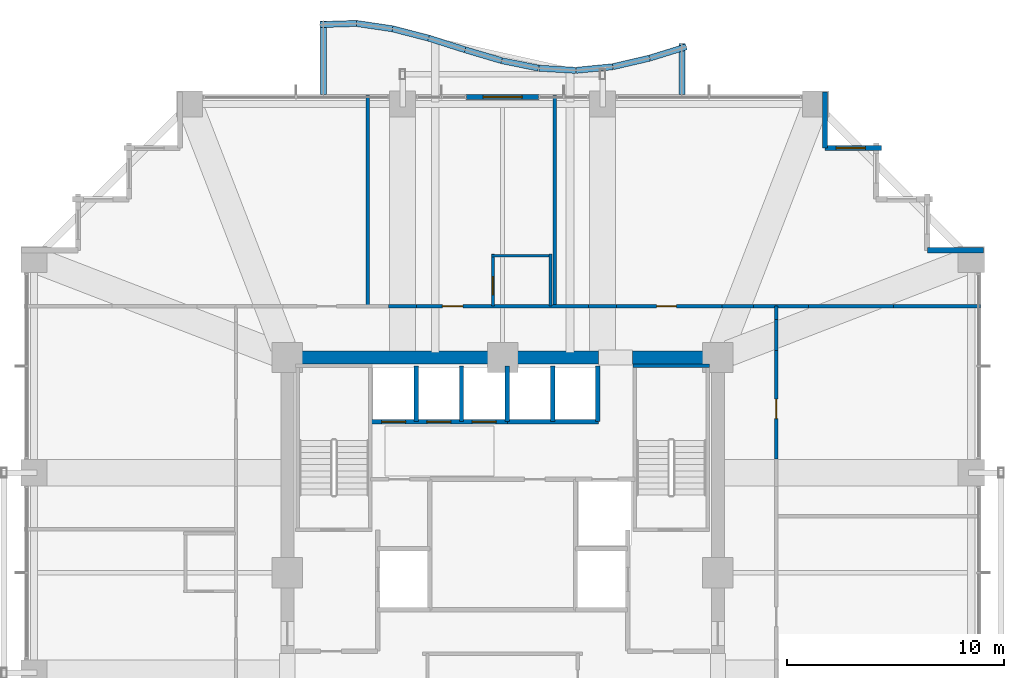
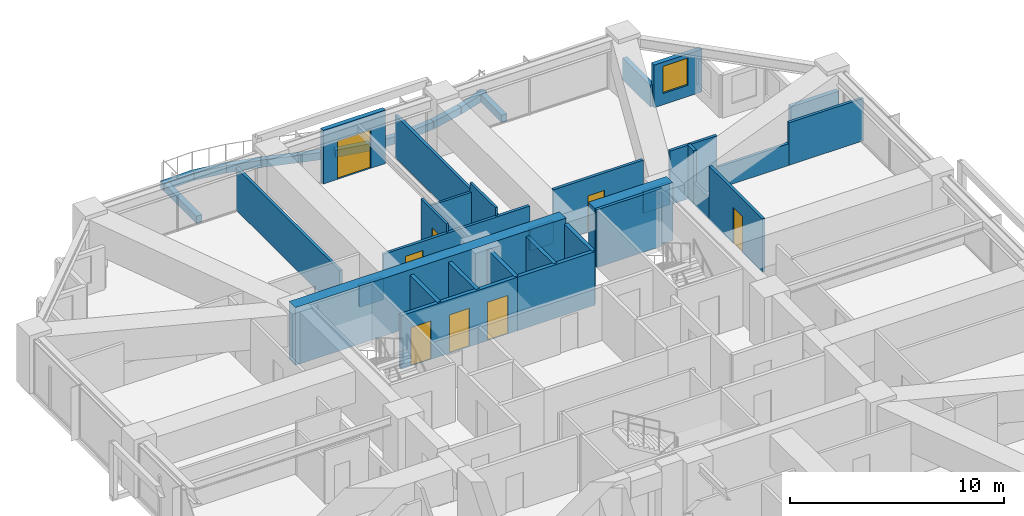
# One storey, part 34 of 37: 43 walls, 8 doors, 1 window, 9 openings.
"""IFC4 building model written with IfcOpenShell, lengths in metres."""

from ifc_helpers import new_model, si_unit, direction, frame, frame_2d, origin, place, context, subcontext, project, spatial, rectangle, extrude, material, layer, layer_set, type_object, element, fill, save


model = new_model("IFC4")

# Units and contexts
model_context = context("Model", 3, precision=1e-05, world=origin(), true_north=direction((0.0, 1.0)))
body_context = subcontext(model_context, "Body", "Model", "MODEL_VIEW")
ifc_project = project(units=[si_unit("LENGTHUNIT", "METRE"), si_unit("AREAUNIT", "SQUARE_METRE"), si_unit("VOLUMEUNIT", "CUBIC_METRE"), si_unit("PLANEANGLEUNIT", "RADIAN"), si_unit("MASSUNIT", "GRAM", prefix="KILO")], contexts=[model_context])

# Site, building, storey
site_placement = place(None, origin())
site = spatial("IfcSite", under=ifc_project, at=site_placement, CompositionType="ELEMENT")
building_placement = place(site_placement, origin())
building = spatial("IfcBuilding", under=site, at=building_placement, Name="Kolvaren Belvedere", CompositionType="ELEMENT")
storey_placement = place(building_placement, frame((0.0, 0.0, 56.800048828125)))
storey = spatial("IfcBuildingStorey", under=building, at=storey_placement, Name="L16", CompositionType="ELEMENT", Elevation=56.800048828125)

# Walls
ifc_material_1 = material(Name="Concrete C60/75", Category="concrete")
ifc_layer_1 = layer(ifc_material_1, 0.60009765625)
ifc_layer_set_1 = layer_set([ifc_layer_1], Name="Concrete C60/75")
wall_type_1 = type_object("IfcWallType", Name="CW-CORE-600", PredefinedType="SHEAR", material=ifc_layer_set_1)
wall_1_placement = place(storey_placement, frame((-10.199951171875, 9.89990234375, 0.0), z_axis=(0.0, 0.0, 1.0), x_axis=(1.0, 0.0, 0.0)))
element("IfcWall", 1, at=wall_1_placement, inside=storey, type_object=wall_type_1, Name="L16 North Core Shear Wall 1", PredefinedType="SHEAR", context=body_context, shape_type="SweptSolid", body=[
    extrude(rectangle(XDim=14.619873046875, YDim=0.60009765625, at=frame_2d((7.31005859375, 0.0))), origin(), (0.0, 0.0, 1.0), 3.300048828125),
])
wall_2_placement = place(storey_placement, frame((5.97998046875, 9.89990234375, 0.0), z_axis=(0.0, 0.0, 1.0), x_axis=(1.0, 0.0, 0.0)))
element("IfcWall", 2, at=wall_2_placement, inside=storey, type_object=wall_type_1, Name="L16 North Core Shear Wall 2", PredefinedType="SHEAR", context=body_context, shape_type="SweptSolid", body=[
    extrude(rectangle(XDim=4.219970703125, YDim=0.60009765625, at=frame_2d((2.10986328125, 0.0))), origin(), (0.0, 0.0, 1.0), 3.300048828125),
])
ifc_material_2 = material(Name="Concrete C50/60", Category="concrete")
ifc_layer_2 = layer(ifc_material_2, 0.159912109375)
ifc_layer_set_2 = layer_set([ifc_layer_2], Name="Concrete C50/60")
wall_type_2 = type_object("IfcWallType", Name="CW-STAIR-160", PredefinedType="SHEAR", material=ifc_layer_set_2)
wall_3_placement = place(storey_placement, frame((6.0, 9.530029296875, 0.0), z_axis=(0.0, 0.0, 1.0), x_axis=(1.0, 0.0, 0.0)))
element("IfcWall", 3, at=wall_3_placement, inside=storey, type_object=wall_type_2, Name="L16 Stair ST-2 North Shear Wall", PredefinedType="SHEAR", context=body_context, shape_type="SweptSolid", body=[
    extrude(rectangle(XDim=3.52001953125, YDim=0.159912109375, at=frame_2d((1.760009765625, 0.0))), origin(), (0.0, 0.0, 1.0), 3.300048828125),
])
ifc_material_3 = material(Name="Gypsum fire-rated partition assembly", Category="gypsum")
ifc_layer_3 = layer(ifc_material_3, 0.14990234375)
ifc_layer_set_3 = layer_set([ifc_layer_3], Name="Gypsum fire-rated partition assembly")
wall_type_3 = type_object("IfcWallType", Name="WL-CORR-150", PredefinedType="PARTITIONING", material=ifc_layer_set_3)
wall_4_placement = place(storey_placement, frame((-5.241943359375, 12.260009765625, 0.0), z_axis=(0.0, 0.0, 1.0), x_axis=(1.0, 0.0, 0.0)))
element("IfcWall", 4, at=wall_4_placement, inside=storey, type_object=wall_type_3, Name="L16 North Corridor Wall", PredefinedType="PARTITIONING", context=body_context, shape_type="SweptSolid", body=[
    extrude(rectangle(XDim=1.283935546875, YDim=0.14990234375, at=frame_2d((0.64208984375, 0.0))), origin(), (0.0, 0.0, 1.0), 1.244873046875),
])

# Wall, opening, door
wall_5_placement = place(storey_placement, frame((-3.9580078125, 12.260009765625, 0.0), z_axis=(0.0, 0.0, 1.0), x_axis=(1.0, 0.0, 0.0)))
wall_5 = element("IfcWall", 5, at=wall_5_placement, inside=storey, type_object=wall_type_3, Name="L16 North Corridor Wall", PredefinedType="PARTITIONING", context=body_context, shape_type="SweptSolid", body=[
    extrude(rectangle(XDim=7.916015625, YDim=0.14990234375, at=frame_2d((3.9580078125, 0.0))), origin(), (0.0, 0.0, 1.0), 2.5849609375),
])
opening_1_placement = place(wall_5_placement, frame((1.185546875, 0.0, 0.0)))
opening_1 = element("IfcOpeningElement", 6, at=opening_1_placement, cuts=wall_5, Name="Opening D-FD60", PredefinedType="OPENING", context=body_context, shape_type="SweptSolid", body=[
    extrude(rectangle(XDim=0.949951171875, YDim=2.06005859375, at=frame_2d((0.47509765625, 1.030029296875))), frame((0.0, 0.0849609375, 0.0), z_axis=(0.0, -1.0, 0.0), x_axis=(1.0, 0.0, 0.0)), (0.0, 0.0, 1.0), 0.169921875),
])
ifc_material_4 = material(Name="Acoustic white-oak fire door leaf", Category="timber")
door_type_1 = type_object("IfcDoorType", Name="DR-FD60-950", OperationType="NOTDEFINED", PredefinedType="DOOR", material=ifc_material_4)
door_1_placement = place(opening_1_placement, origin())
door_1 = element("IfcDoor", 7, at=door_1_placement, inside=storey, type_object=door_type_1, Name="L16 Botanical Hospitality Suite 1611 Entry Door", OperationType="SINGLE_SWING_RIGHT", OverallHeight=2.06005859375, OverallWidth=0.949951171875, PredefinedType="DOOR", context=body_context, shape_type="SweptSolid", body=[
    extrude(rectangle(XDim=0.949951171875, YDim=2.06005859375, at=frame_2d((0.47509765625, 1.030029296875))), frame((0.0, 0.02490234375, 0.0), z_axis=(0.0, -1.0, 0.0), x_axis=(1.0, 0.0, 0.0)), (0.0, 0.0, 1.0), 0.050048828125),
])
fill(opening_1, door_1)

# Wall
wall_6_placement = place(storey_placement, frame((3.9580078125, 12.260009765625, 0.0), z_axis=(0.0, 0.0, 1.0), x_axis=(1.0, 0.0, 0.0)))
element("IfcWall", 8, at=wall_6_placement, inside=storey, type_object=wall_type_3, Name="L16 North Corridor Wall", PredefinedType="PARTITIONING", context=body_context, shape_type="SweptSolid", body=[
    extrude(rectangle(XDim=1.283935546875, YDim=0.14990234375, at=frame_2d((0.64208984375, 0.0))), origin(), (0.0, 0.0, 1.0), 1.244873046875),
])

# Wall, opening, door
wall_7_placement = place(storey_placement, frame((5.241943359375, 12.260009765625, 0.0), z_axis=(0.0, 0.0, 1.0), x_axis=(1.0, 0.0, 0.0)))
wall_7 = element("IfcWall", 9, at=wall_7_placement, inside=storey, type_object=wall_type_3, Name="L16 North Corridor Wall", PredefinedType="PARTITIONING", context=body_context, shape_type="SweptSolid", body=[
    extrude(rectangle(XDim=4.849853515625, YDim=0.14990234375, at=frame_2d((2.4248046875, 0.0))), origin(), (0.0, 0.0, 1.0), 3.06005859375),
])
opening_2_placement = place(wall_7_placement, frame((1.843017578125, 0.0, 0.0)))
opening_2 = element("IfcOpeningElement", 10, at=opening_2_placement, cuts=wall_7, Name="Opening D-INT90", PredefinedType="OPENING", context=body_context, shape_type="SweptSolid", body=[
    extrude(rectangle(XDim=0.89990234375, YDim=2.06005859375, at=frame_2d((0.449951171875, 1.030029296875))), frame((0.0, 0.0849609375, 0.0), z_axis=(0.0, -1.0, 0.0), x_axis=(1.0, 0.0, 0.0)), (0.0, 0.0, 1.0), 0.169921875),
])
ifc_material_5 = material(Name="Stained Pacific white oak", Category="timber")
door_type_2 = type_object("IfcDoorType", Name="DR-INT-900", OperationType="NOTDEFINED", PredefinedType="DOOR", material=ifc_material_5)
door_2_placement = place(opening_2_placement, origin())
door_2 = element("IfcDoor", 11, at=door_2_placement, inside=storey, type_object=door_type_2, Name="L16 Lounge 1612 Door", OperationType="SINGLE_SWING_LEFT", OverallHeight=2.06005859375, OverallWidth=0.89990234375, PredefinedType="DOOR", context=body_context, shape_type="SweptSolid", body=[
    extrude(rectangle(XDim=0.89990234375, YDim=2.06005859375, at=frame_2d((0.449951171875, 1.030029296875))), frame((0.0, 0.02490234375, 0.0), z_axis=(0.0, -1.0, 0.0), x_axis=(1.0, 0.0, 0.0)), (0.0, 0.0, 1.0), 0.050048828125),
])
fill(opening_2, door_2)

# Walls
wall_8_placement = place(storey_placement, frame((10.091796875, 12.260009765625, 0.0), z_axis=(0.0, 0.0, 1.0), x_axis=(1.0, 0.0, 0.0)))
element("IfcWall", 12, at=wall_8_placement, inside=storey, type_object=wall_type_3, Name="L16 North Corridor Wall", PredefinedType="PARTITIONING", context=body_context, shape_type="SweptSolid", body=[
    extrude(rectangle(XDim=1.439453125, YDim=0.14990234375, at=frame_2d((0.7197265625, 0.0))), origin(), (0.0, 0.0, 1.0), 1.244873046875),
])
wall_9_placement = place(storey_placement, frame((11.53125, 12.260009765625, 0.0), z_axis=(0.0, 0.0, 1.0), x_axis=(1.0, 0.0, 0.0)))
element("IfcWall", 13, at=wall_9_placement, inside=storey, type_object=wall_type_3, Name="L16 North Corridor Wall", PredefinedType="PARTITIONING", context=body_context, shape_type="SweptSolid", body=[
    extrude(rectangle(XDim=1.048828125, YDim=0.14990234375, at=frame_2d((0.5244140625, 0.0))), origin(), (0.0, 0.0, 1.0), 3.06005859375),
])

# Wall, opening, door
wall_10_placement = place(storey_placement, frame((12.580078125, 5.241943359375, 0.0), z_axis=(0.0, 0.0, 1.0), x_axis=(0.0, 1.0, 0.0)))
wall_10 = element("IfcWall", 14, at=wall_10_placement, inside=storey, type_object=wall_type_3, Name="L16 East Corridor Wall", PredefinedType="PARTITIONING", context=body_context, shape_type="SweptSolid", body=[
    extrude(rectangle(XDim=4.9736328125, YDim=0.14990234375, at=frame_2d((2.48681640625, 0.0))), origin(), (0.0, 0.0, 1.0), 3.06005859375),
])
opening_3_placement = place(wall_10_placement, frame((1.843017578125, 0.0, 0.0)))
opening_3 = element("IfcOpeningElement", 15, at=opening_3_placement, cuts=wall_10, Name="Opening D-INT90", PredefinedType="OPENING", context=body_context, shape_type="SweptSolid", body=[
    extrude(rectangle(XDim=0.89990234375, YDim=2.06005859375, at=frame_2d((0.449951171875, 1.030029296875))), frame((0.0, 0.0849609375, 0.0), z_axis=(0.0, -1.0, 0.0), x_axis=(1.0, 0.0, 0.0)), (0.0, 0.0, 1.0), 0.169921875),
])
door_3_placement = place(opening_3_placement, origin())
door_3 = element("IfcDoor", 16, at=door_3_placement, inside=storey, type_object=door_type_2, Name="L16 Botanical Reading Salon 1606 Door", OperationType="SINGLE_SWING_LEFT", OverallHeight=2.06005859375, OverallWidth=0.89990234375, PredefinedType="DOOR", context=body_context, shape_type="SweptSolid", body=[
    extrude(rectangle(XDim=0.89990234375, YDim=2.06005859375, at=frame_2d((0.449951171875, 1.030029296875))), frame((0.0, 0.02490234375, 0.0), z_axis=(0.0, -1.0, 0.0), x_axis=(1.0, 0.0, 0.0)), (0.0, 0.0, 1.0), 0.050048828125),
])
fill(opening_3, door_3)

# Walls
wall_11_placement = place(storey_placement, frame((12.580078125, 10.215576171875, 0.0), z_axis=(0.0, 0.0, 1.0), x_axis=(0.0, 1.0, 0.0)))
element("IfcWall", 17, at=wall_11_placement, inside=storey, type_object=wall_type_3, Name="L16 East Corridor Wall", PredefinedType="PARTITIONING", context=body_context, shape_type="SweptSolid", body=[
    extrude(rectangle(XDim=1.439208984375, YDim=0.14990234375, at=frame_2d((0.7197265625, 0.0))), origin(), (0.0, 0.0, 1.0), 1.244873046875),
])
wall_12_placement = place(storey_placement, frame((12.580078125, 11.65478515625, 0.0), z_axis=(0.0, 0.0, 1.0), x_axis=(0.0, 1.0, 0.0)))
element("IfcWall", 18, at=wall_12_placement, inside=storey, type_object=wall_type_3, Name="L16 East Corridor Wall", PredefinedType="PARTITIONING", context=body_context, shape_type="SweptSolid", body=[
    extrude(rectangle(XDim=0.605224609375, YDim=0.14990234375, at=frame_2d((0.302734375, 0.0))), origin(), (0.0, 0.0, 1.0), 3.06005859375),
])
ifc_material_6 = material(Name="Insulated pale-metal facade wall assembly", Category="aluminium")
ifc_layer_4 = layer(ifc_material_6, 0.239990234375)
ifc_layer_set_4 = layer_set([ifc_layer_4], Name="Insulated pale-metal facade wall assembly")
wall_type_4 = type_object("IfcWallType", Name="WL-EXT-240", PredefinedType="STANDARD", material=ifc_layer_set_4)
wall_13_placement = place(storey_placement, frame((19.530029296875, 14.830078125, 0.0), z_axis=(0.0, 0.0, 1.0), x_axis=(1.0, 0.0, 0.0)))
element("IfcWall", 19, at=wall_13_placement, inside=storey, type_object=wall_type_4, Name="L16 Serrated Corner Facade Wall 9", PredefinedType="STANDARD", context=body_context, shape_type="SweptSolid", body=[
    extrude(rectangle(XDim=2.590087890625, YDim=0.239990234375, at=frame_2d((1.294921875, 0.0))), origin(), (0.0, 0.0, 1.0), 1.2548828125),
])

# Wall, opening, window
wall_14_placement = place(storey_placement, frame((14.830078125, 19.530029296875, 0.0), z_axis=(0.0, 0.0, 1.0), x_axis=(1.0, 0.0, 0.0)))
wall_14 = element("IfcWall", 20, at=wall_14_placement, inside=storey, type_object=wall_type_4, Name="L16 Serrated Corner Facade Wall 13", PredefinedType="STANDARD", context=body_context, shape_type="SweptSolid", body=[
    extrude(rectangle(XDim=2.58984375, YDim=0.239990234375, at=frame_2d((1.294921875, 0.0))), origin(), (0.0, 0.0, 1.0), 2.43896484375),
])
opening_4_placement = place(wall_14_placement, frame((0.5, 0.0, 0.64990234375)))
opening_4 = element("IfcOpeningElement", 21, at=opening_4_placement, cuts=wall_14, Name="Opening W-1350", PredefinedType="OPENING", context=body_context, shape_type="SweptSolid", body=[
    extrude(rectangle(XDim=1.35009765625, YDim=1.550048828125, at=frame_2d((0.675048828125, 0.77490234375))), frame((0.0, 0.1298828125, 0.0), z_axis=(0.0, -1.0, 0.0), x_axis=(1.0, 0.0, 0.0)), (0.0, 0.0, 1.0), 0.260009765625),
])
ifc_material_7 = material(Name="Low-iron triple insulated glass", Category="glass")
window_type = type_object("IfcWindowType", Name="WN-CORN-1350", PartitioningType="SINGLE_PANEL", PredefinedType="WINDOW", material=ifc_material_7)
window_placement = place(opening_4_placement, origin())
window = element("IfcWindow", 22, at=window_placement, inside=storey, type_object=window_type, Name="L16 Serrated Corner Vision Window 13", OverallHeight=1.550048828125, OverallWidth=1.35009765625, PartitioningType="SINGLE_PANEL", PredefinedType="WINDOW", context=body_context, shape_type="SweptSolid", body=[
    extrude(rectangle(XDim=1.35009765625, YDim=1.550048828125, at=frame_2d((0.675048828125, 0.77490234375))), frame((0.0, 0.030029296875, 0.0), z_axis=(0.0, -1.0, 0.0), x_axis=(1.0, 0.0, 0.0)), (0.0, 0.0, 1.0), 0.06005859375),
])
fill(opening_4, window)

# Wall
wall_15_placement = place(storey_placement, frame((14.830078125, 22.1201171875, 0.0), z_axis=(0.0, 0.0, 1.0), x_axis=(0.0, -1.0, 0.0)))
element("IfcWall", 23, at=wall_15_placement, inside=storey, type_object=wall_type_4, Name="L16 Serrated Corner Facade Wall 14", PredefinedType="STANDARD", context=body_context, shape_type="SweptSolid", body=[
    extrude(rectangle(XDim=2.590087890625, YDim=0.239990234375, at=frame_2d((1.294921875, 0.0))), origin(), (0.0, 0.0, 1.0), 1.2548828125),
])

# Wall, opening, door
wall_16_placement = place(storey_placement, frame((-1.679931640625, 21.8798828125, 0.0), z_axis=(0.0, 0.0, 1.0), x_axis=(1.0, 0.0, 0.0)))
wall_16 = element("IfcWall", 24, at=wall_16_placement, inside=storey, type_object=wall_type_4, Name="L16 North Terrace Portal Wall", PredefinedType="STANDARD", context=body_context, shape_type="SweptSolid", body=[
    extrude(rectangle(XDim=3.35986328125, YDim=0.239990234375, at=frame_2d((1.679931640625, 0.0))), origin(), (0.0, 0.0, 1.0), 3.06005859375),
])
opening_5_placement = place(wall_16_placement, frame((0.780029296875, 0.0, 0.0)))
opening_5 = element("IfcOpeningElement", 25, at=opening_5_placement, cuts=wall_16, Name="Opening DB-1800", PredefinedType="OPENING", context=body_context, shape_type="SweptSolid", body=[
    extrude(rectangle(XDim=1.800048828125, YDim=2.199951171875, at=frame_2d((0.89990234375, 1.10009765625))), frame((0.0, 0.1298828125, 0.0), z_axis=(0.0, -1.0, 0.0), x_axis=(1.0, 0.0, 0.0)), (0.0, 0.0, 1.0), 0.260009765625),
])
ifc_material_8 = material(Name="Thermally broken pale-metal aluminium & low-iron glass", Category="aluminium")
door_type_3 = type_object("IfcDoorType", Name="DR-BAL-1800", OperationType="DOUBLE_DOOR_SLIDING", PredefinedType="DOOR", material=ifc_material_8)
door_4_placement = place(opening_5_placement, origin())
door_4 = element("IfcDoor", 26, at=door_4_placement, inside=storey, type_object=door_type_3, Name="L16 North Planted Terrace Sliding Door", OperationType="DOUBLE_DOOR_SLIDING", OverallHeight=2.199951171875, OverallWidth=1.800048828125, PredefinedType="DOOR", context=body_context, shape_type="SweptSolid", body=[
    extrude(rectangle(XDim=1.800048828125, YDim=2.199951171875, at=frame_2d((0.89990234375, 1.10009765625))), frame((0.0, 0.02490234375, 0.0), z_axis=(0.0, -1.0, 0.0), x_axis=(1.0, 0.0, 0.0)), (0.0, 0.0, 1.0), 0.050048828125),
])
fill(opening_5, door_4)

# Walls
ifc_material_9 = material(Name="Gypsum acoustic partition assembly", Category="gypsum")
ifc_layer_5 = layer(ifc_material_9, 0.14990234375)
ifc_layer_set_5 = layer_set([ifc_layer_5], Name="Gypsum acoustic partition assembly")
wall_type_5 = type_object("IfcWallType", Name="WL-PART-150", PredefinedType="PARTITIONING", material=ifc_layer_set_5)
wall_17_placement = place(storey_placement, frame((12.580078125, 12.260009765625, 0.0), z_axis=(0.0, 0.0, 1.0), x_axis=(1.0, 0.0, 0.0)))
element("IfcWall", 27, at=wall_17_placement, inside=storey, type_object=wall_type_5, Name="L16 Wing Divider PW-L16-QNE", PredefinedType="PARTITIONING", context=body_context, shape_type="SweptSolid", body=[
    extrude(rectangle(XDim=1.47607421875, YDim=0.14990234375, at=frame_2d((0.738037109375, 0.0))), origin(), (0.0, 0.0, 1.0), 3.06005859375),
])
wall_18_placement = place(storey_placement, frame((14.05615234375, 12.260009765625, 0.0), z_axis=(0.0, 0.0, 1.0), x_axis=(1.0, 0.0, 0.0)))
element("IfcWall", 28, at=wall_18_placement, inside=storey, type_object=wall_type_5, Name="L16 Wing Divider PW-L16-QNE", PredefinedType="PARTITIONING", context=body_context, shape_type="SweptSolid", body=[
    extrude(rectangle(XDim=3.9072265625, YDim=0.14990234375, at=frame_2d((1.95361328125, 0.0))), origin(), (0.0, 0.0, 1.0), 1.244873046875),
])
wall_19_placement = place(storey_placement, frame((17.96337890625, 12.260009765625, 0.0), z_axis=(0.0, 0.0, 1.0), x_axis=(1.0, 0.0, 0.0)))
element("IfcWall", 29, at=wall_19_placement, inside=storey, type_object=wall_type_5, Name="L16 Wing Divider PW-L16-QNE", PredefinedType="PARTITIONING", context=body_context, shape_type="SweptSolid", body=[
    extrude(rectangle(XDim=4.0166015625, YDim=0.14990234375, at=frame_2d((2.00830078125, 0.0))), origin(), (0.0, 0.0, 1.0), 2.428955078125),
])
for number, where, z_axis, x_axis, name in (
    (30, (-6.199951171875, 12.260009765625, 0.0), (0.0, 0.0, 1.0), (0.0, 1.0, 0.0), "L16 North Suite Demising Wall 1"),
    (31, (2.39990234375, 12.260009765625, 0.0), (0.0, 0.0, 1.0), (0.0, 1.0, 0.0), "L16 North Suite Demising Wall 2"),
):
    element("IfcWall", number, at=place(storey_placement, frame(where, z_axis=z_axis, x_axis=x_axis)), inside=storey, type_object=wall_type_5, Name=name, PredefinedType="PARTITIONING", context=body_context, shape_type="SweptSolid", body=[
        extrude(rectangle(XDim=9.719970703125, YDim=0.14990234375, at=frame_2d((4.85986328125, 0.0))), origin(), (0.0, 0.0, 1.0), 2.428955078125),
    ])
ifc_material_10 = material(Name="Precast concrete C40/50", Category="concrete")
ifc_layer_6 = layer(ifc_material_10, 0.300048828125)
ifc_layer_set_6 = layer_set([ifc_layer_6], Name="Precast concrete C40/50")
wall_type_6 = type_object("IfcWallType", Name="WL-PLANTER-300", PredefinedType="PARAPET", material=ifc_layer_set_6)
wall_20_placement = place(storey_placement, frame((8.239990234375, 22.0, -0.06005859375), z_axis=(0.0, 0.0, 1.0), x_axis=(0.0, 1.0, 0.0)))
element("IfcWall", 32, at=wall_20_placement, inside=storey, type_object=wall_type_6, Name="L16 Precast Structural Planter Wall BAL-N-11", PredefinedType="PARAPET", context=body_context, shape_type="SweptSolid", body=[
    extrude(rectangle(XDim=2.340087890625, YDim=0.280029296875, at=frame_2d((1.169921875, 0.0))), origin(), (0.0, 0.0, 1.0), 0.419921875),
])
wall_21_placement = place(storey_placement, frame((8.447265625, 24.187255859375, -0.06005859375), z_axis=(0.0, 0.0, 1.0), x_axis=(-0.95524013163, -0.295831524561, 0.0)))
element("IfcWall", 33, at=wall_21_placement, inside=storey, type_object=wall_type_6, Name="L16 Precast Structural Planter Wall BAL-N-12", PredefinedType="PARAPET", context=body_context, shape_type="SweptSolid", body=[
    extrude(rectangle(XDim=1.758544921875, YDim=0.280029296875, at=frame_2d((0.87939453125, 0.0))), origin(), (0.0, 0.0, 1.0), 0.419921875),
])
wall_22_placement = place(storey_placement, frame((6.75634765625, 23.663818359375, -0.06005859375), z_axis=(0.0, 0.0, 1.0), x_axis=(-0.973890253884, -0.227019323824, 0.0)))
element("IfcWall", 34, at=wall_22_placement, inside=storey, type_object=wall_type_6, Name="L16 Precast Structural Planter Wall BAL-N-13", PredefinedType="PARAPET", context=body_context, shape_type="SweptSolid", body=[
    extrude(rectangle(XDim=1.724853515625, YDim=0.280029296875, at=frame_2d((0.8623046875, 0.0))), origin(), (0.0, 0.0, 1.0), 0.419921875),
])
wall_23_placement = place(storey_placement, frame((5.0556640625, 23.268798828125, -0.06005859375), z_axis=(0.0, 0.0, 1.0), x_axis=(-0.995152499202, -0.098343801694, 0.0)))
element("IfcWall", 35, at=wall_23_placement, inside=storey, type_object=wall_type_6, Name="L16 Precast Structural Planter Wall BAL-N-14", PredefinedType="PARAPET", context=body_context, shape_type="SweptSolid", body=[
    extrude(rectangle(XDim=1.688232421875, YDim=0.280029296875, at=frame_2d((0.84423828125, 0.0))), origin(), (0.0, 0.0, 1.0), 0.419921875),
])
wall_24_placement = place(storey_placement, frame((3.350341796875, 23.102294921875, -0.06005859375), z_axis=(0.0, 0.0, 1.0), x_axis=(-0.998203631072, 0.059912527196, 0.0)))
element("IfcWall", 36, at=wall_24_placement, inside=storey, type_object=wall_type_6, Name="L16 Precast Structural Planter Wall BAL-N-15", PredefinedType="PARAPET", context=body_context, shape_type="SweptSolid", body=[
    extrude(rectangle(XDim=1.682861328125, YDim=0.280029296875, at=frame_2d((0.84130859375, 0.0))), origin(), (0.0, 0.0, 1.0), 0.419921875),
])
wall_25_placement = place(storey_placement, frame((1.64794921875, 23.2060546875, -0.06005859375), z_axis=(0.0, 0.0, 1.0), x_axis=(-0.979867779516, 0.199647526069, 0.0)))
element("IfcWall", 37, at=wall_25_placement, inside=storey, type_object=wall_type_6, Name="L16 Precast Structural Planter Wall BAL-N-16", PredefinedType="PARAPET", context=body_context, shape_type="SweptSolid", body=[
    extrude(rectangle(XDim=1.71435546875, YDim=0.280029296875, at=frame_2d((0.857177734375, 0.0))), origin(), (0.0, 0.0, 1.0), 0.419921875),
])
wall_26_placement = place(storey_placement, frame((-0.045654296875, 23.5517578125, -0.06005859375), z_axis=(0.0, 0.0, 1.0), x_axis=(-0.958525043221, 0.28500831833, 0.0)))
element("IfcWall", 38, at=wall_26_placement, inside=storey, type_object=wall_type_6, Name="L16 Precast Structural Planter Wall BAL-N-17", PredefinedType="PARAPET", context=body_context, shape_type="SweptSolid", body=[
    extrude(rectangle(XDim=1.752685546875, YDim=0.280029296875, at=frame_2d((0.87646484375, 0.0))), origin(), (0.0, 0.0, 1.0), 0.419921875),
])
wall_27_placement = place(storey_placement, frame((-1.728515625, 24.052001953125, -0.06005859375), z_axis=(0.0, 0.0, 1.0), x_axis=(-0.953142020151, 0.302523204768, 0.0)))
element("IfcWall", 39, at=wall_27_placement, inside=storey, type_object=wall_type_6, Name="L16 Precast Structural Planter Wall BAL-N-18", PredefinedType="PARAPET", context=body_context, shape_type="SweptSolid", body=[
    extrude(rectangle(XDim=1.762451171875, YDim=0.280029296875, at=frame_2d((0.88134765625, 0.0))), origin(), (0.0, 0.0, 1.0), 0.419921875),
])
wall_28_placement = place(storey_placement, frame((-3.400146484375, 24.582763671875, -0.06005859375), z_axis=(0.0, 0.0, 1.0), x_axis=(-0.968132209145, 0.250439664624, 0.0)))
element("IfcWall", 40, at=wall_28_placement, inside=storey, type_object=wall_type_6, Name="L16 Precast Structural Planter Wall BAL-N-19", PredefinedType="PARAPET", context=body_context, shape_type="SweptSolid", body=[
    extrude(rectangle(XDim=1.7353515625, YDim=0.280029296875, at=frame_2d((0.86767578125, 0.0))), origin(), (0.0, 0.0, 1.0), 0.419921875),
])
wall_29_placement = place(storey_placement, frame((-5.063232421875, 25.013916015625, -0.06005859375), z_axis=(0.0, 0.0, 1.0), x_axis=(-0.98929818871, 0.145907826437, 0.0)))
element("IfcWall", 41, at=wall_29_placement, inside=storey, type_object=wall_type_6, Name="L16 Precast Structural Planter Wall BAL-N-20", PredefinedType="PARAPET", context=body_context, shape_type="SweptSolid", body=[
    extrude(rectangle(XDim=1.6982421875, YDim=0.280029296875, at=frame_2d((0.84912109375, 0.0))), origin(), (0.0, 0.0, 1.0), 0.419921875),
])
wall_30_placement = place(storey_placement, frame((-6.715087890625, 25.260009765625, -0.06005859375), z_axis=(0.0, 0.0, 1.0), x_axis=(-0.999507673088, -0.031375331694, 0.0)))
element("IfcWall", 42, at=wall_30_placement, inside=storey, type_object=wall_type_6, Name="L16 Precast Structural Planter Wall BAL-N-21", PredefinedType="PARAPET", context=body_context, shape_type="SweptSolid", body=[
    extrude(rectangle(XDim=1.6806640625, YDim=0.280029296875, at=frame_2d((0.84033203125, 0.0))), origin(), (0.0, 0.0, 1.0), 0.419921875),
])
wall_31_placement = place(storey_placement, frame((-8.239990234375, 25.3671875, -0.06005859375), z_axis=(0.0, 0.0, 1.0), x_axis=(0.0, -1.0, 0.0)))
element("IfcWall", 43, at=wall_31_placement, inside=storey, type_object=wall_type_6, Name="L16 Precast Structural Planter Wall BAL-N-22", PredefinedType="PARAPET", context=body_context, shape_type="SweptSolid", body=[
    extrude(rectangle(XDim=3.3671875, YDim=0.280029296875, at=frame_2d((1.68359375, 0.0))), origin(), (0.0, 0.0, 1.0), 0.419921875),
])

# Wall, openings, doors
ifc_material_11 = material(Name="Concrete C50/60", Category="concrete")
ifc_layer_7 = layer(ifc_material_11, 0.199951171875)
ifc_layer_set_7 = layer_set([ifc_layer_7], Name="Concrete C50/60")
wall_type_7 = type_object("IfcWallType", Name="WL-SHAFT-200", PredefinedType="SOLIDWALL", material=ifc_layer_set_7)
wall_32_placement = place(storey_placement, frame((-6.080078125, 6.949951171875, 0.0), z_axis=(0.0, 0.0, 1.0), x_axis=(1.0, 0.0, 0.0)))
wall_32 = element("IfcWall", 44, at=wall_32_placement, inside=storey, type_object=wall_type_7, Name="L16 Low-Rise Lift Bank Front Wall", PredefinedType="SOLIDWALL", context=body_context, shape_type="SweptSolid", body=[
    extrude(rectangle(XDim=6.300048828125, YDim=0.199951171875, at=frame_2d((3.14990234375, 0.0))), origin(), (0.0, 0.0, 1.0), 3.06005859375),
])
opening_6_placement = place(wall_32_placement, frame((0.52001953125, 0.0, 0.0)))
opening_6 = element("IfcOpeningElement", 45, at=opening_6_placement, cuts=wall_32, Name="Opening LD-11", PredefinedType="OPENING", context=body_context, shape_type="SweptSolid", body=[
    extrude(rectangle(XDim=1.10009765625, YDim=2.199951171875, at=frame_2d((0.550048828125, 1.10009765625))), frame((0.0, 0.10986328125, 0.0), z_axis=(0.0, -1.0, 0.0), x_axis=(1.0, 0.0, 0.0)), (0.0, 0.0, 1.0), 0.219970703125),
])
opening_7_placement = place(wall_32_placement, frame((2.60009765625, 0.0, 0.0)))
opening_7 = element("IfcOpeningElement", 46, at=opening_7_placement, cuts=wall_32, Name="Opening LD-11", PredefinedType="OPENING", context=body_context, shape_type="SweptSolid", body=[
    extrude(rectangle(XDim=1.10009765625, YDim=2.199951171875, at=frame_2d((0.550048828125, 1.10009765625))), frame((0.0, 0.10986328125, 0.0), z_axis=(0.0, -1.0, 0.0), x_axis=(1.0, 0.0, 0.0)), (0.0, 0.0, 1.0), 0.219970703125),
])
opening_8_placement = place(wall_32_placement, frame((4.679931640625, 0.0, 0.0)))
opening_8 = element("IfcOpeningElement", 47, at=opening_8_placement, cuts=wall_32, Name="Opening LD-11", PredefinedType="OPENING", context=body_context, shape_type="SweptSolid", body=[
    extrude(rectangle(XDim=1.10009765625, YDim=2.199951171875, at=frame_2d((0.550048828125, 1.10009765625))), frame((0.0, 0.10986328125, 0.0), z_axis=(0.0, -1.0, 0.0), x_axis=(1.0, 0.0, 0.0)), (0.0, 0.0, 1.0), 0.219970703125),
])
ifc_material_12 = material(Name="Brushed stainless steel", Category="steel")
door_type_4 = type_object("IfcDoorType", Name="DR-LIFT-1100", OperationType="DOUBLE_DOOR_SLIDING", PredefinedType="DOOR", material=ifc_material_12)
door_5_placement = place(opening_6_placement, origin())
door_5 = element("IfcDoor", 48, at=door_5_placement, inside=storey, type_object=door_type_4, Name="L16 Passenger Lift P1 Landing Door", OperationType="DOUBLE_DOOR_SLIDING", OverallHeight=2.199951171875, OverallWidth=1.10009765625, PredefinedType="DOOR", context=body_context, shape_type="SweptSolid", body=[
    extrude(rectangle(XDim=1.10009765625, YDim=2.199951171875, at=frame_2d((0.550048828125, 1.10009765625))), frame((0.0, 0.02490234375, 0.0), z_axis=(0.0, -1.0, 0.0), x_axis=(1.0, 0.0, 0.0)), (0.0, 0.0, 1.0), 0.050048828125),
])
fill(opening_6, door_5)
door_6_placement = place(opening_7_placement, origin())
door_6 = element("IfcDoor", 49, at=door_6_placement, inside=storey, type_object=door_type_4, Name="L16 Passenger Lift P2 Landing Door", OperationType="DOUBLE_DOOR_SLIDING", OverallHeight=2.199951171875, OverallWidth=1.10009765625, PredefinedType="DOOR", context=body_context, shape_type="SweptSolid", body=[
    extrude(rectangle(XDim=1.10009765625, YDim=2.199951171875, at=frame_2d((0.550048828125, 1.10009765625))), frame((0.0, 0.02490234375, 0.0), z_axis=(0.0, -1.0, 0.0), x_axis=(1.0, 0.0, 0.0)), (0.0, 0.0, 1.0), 0.050048828125),
])
fill(opening_7, door_6)
door_7_placement = place(opening_8_placement, origin())
door_7 = element("IfcDoor", 50, at=door_7_placement, inside=storey, type_object=door_type_4, Name="L16 Passenger Lift P3 Landing Door", OperationType="DOUBLE_DOOR_SLIDING", OverallHeight=2.199951171875, OverallWidth=1.10009765625, PredefinedType="DOOR", context=body_context, shape_type="SweptSolid", body=[
    extrude(rectangle(XDim=1.10009765625, YDim=2.199951171875, at=frame_2d((0.550048828125, 1.10009765625))), frame((0.0, 0.02490234375, 0.0), z_axis=(0.0, -1.0, 0.0), x_axis=(1.0, 0.0, 0.0)), (0.0, 0.0, 1.0), 0.050048828125),
])
fill(opening_8, door_7)

# Walls
for number, where, z_axis, x_axis, name in (
    (51, (-3.969970703125, 6.949951171875, 0.0), (0.0, 0.0, 1.0), (0.0, 1.0, 0.0), "L16 Low-Rise Hoistway Divider 1"),
    (52, (-1.889892578125, 6.949951171875, 0.0), (0.0, 0.0, 1.0), (0.0, 1.0, 0.0), "L16 Low-Rise Hoistway Divider 2"),
    (53, (0.2099609375, 6.949951171875, 0.0), (0.0, 0.0, 1.0), (0.0, 1.0, 0.0), "L16 Low-Rise Hoistway Divider 3"),
):
    element("IfcWall", number, at=place(storey_placement, frame(where, z_axis=z_axis, x_axis=x_axis)), inside=storey, type_object=wall_type_7, Name=name, PredefinedType="SOLIDWALL", context=body_context, shape_type="SweptSolid", body=[
        extrude(rectangle(XDim=2.570068359375, YDim=0.199951171875, at=frame_2d((1.28515625, 0.0))), origin(), (0.0, 0.0, 1.0), 3.06005859375),
    ])
wall_33_placement = place(storey_placement, frame((0.219970703125, 6.949951171875, 0.0), z_axis=(0.0, 0.0, 1.0), x_axis=(1.0, 0.0, 0.0)))
element("IfcWall", 54, at=wall_33_placement, inside=storey, type_object=wall_type_7, Name="L16 Express Shuttle Hoistway Wall", PredefinedType="SOLIDWALL", context=body_context, shape_type="SweptSolid", body=[
    extrude(rectangle(XDim=4.179931640625, YDim=0.199951171875, at=frame_2d((2.08984375, 0.0))), origin(), (0.0, 0.0, 1.0), 3.06005859375),
])
for number, where, z_axis, x_axis, name in (
    (55, (4.3798828125, 6.949951171875, 0.0), (0.0, 0.0, 1.0), (0.0, 1.0, 0.0), "L16 Express Shuttle East Wall"),
    (56, (2.31005859375, 6.949951171875, 0.0), (0.0, 0.0, 1.0), (0.0, 1.0, 0.0), "L16 Express Shuttle Divider"),
):
    element("IfcWall", number, at=place(storey_placement, frame(where, z_axis=z_axis, x_axis=x_axis)), inside=storey, type_object=wall_type_7, Name=name, PredefinedType="SOLIDWALL", context=body_context, shape_type="SweptSolid", body=[
        extrude(rectangle(XDim=2.570068359375, YDim=0.199951171875, at=frame_2d((1.28515625, 0.0))), origin(), (0.0, 0.0, 1.0), 3.06005859375),
    ])

# Wall, opening, door
ifc_material_13 = material(Name="Moisture-resistant gypsum partition", Category="gypsum")
ifc_layer_8 = layer(ifc_material_13, 0.125)
ifc_layer_set_8 = layer_set([ifc_layer_8], Name="Moisture-resistant gypsum partition")
wall_type_8 = type_object("IfcWallType", Name="WL-WET-125", PredefinedType="PARTITIONING", material=ifc_layer_set_8)
wall_34_placement = place(storey_placement, frame((-0.445068359375, 12.27490234375, 0.0), z_axis=(0.0, 0.0, 1.0), x_axis=(0.0, 1.0, 0.0)))
wall_34 = element("IfcWall", 57, at=wall_34_placement, inside=storey, type_object=wall_type_8, Name="L16 Bathroom Partition PW-L16-BTH-11-E", PredefinedType="PARTITIONING", context=body_context, shape_type="SweptSolid", body=[
    extrude(rectangle(XDim=2.39013671875, YDim=0.125, at=frame_2d((1.195068359375, 0.0))), origin(), (0.0, 0.0, 1.0), 3.06005859375),
])
opening_9_placement = place(wall_34_placement, frame((0.5, 0.0, 0.0)))
opening_9 = element("IfcOpeningElement", 58, at=opening_9_placement, cuts=wall_34, Name="Opening D-BTH85", PredefinedType="OPENING", context=body_context, shape_type="SweptSolid", body=[
    extrude(rectangle(XDim=0.85009765625, YDim=2.030029296875, at=frame_2d((0.425048828125, 1.01513671875))), frame((0.0, 0.072509765625, 0.0), z_axis=(0.0, -1.0, 0.0), x_axis=(1.0, 0.0, 0.0)), (0.0, 0.0, 1.0), 0.14501953125),
])
ifc_material_14 = material(Name="Moisture-sealed Pacific white oak", Category="timber")
door_type_5 = type_object("IfcDoorType", Name="DR-BATH-850", OperationType="NOTDEFINED", PredefinedType="DOOR", material=ifc_material_14)
door_8_placement = place(opening_9_placement, origin())
door_8 = element("IfcDoor", 59, at=door_8_placement, inside=storey, type_object=door_type_5, Name="L16 En-Suite Bathroom 1611 Door", OperationType="SINGLE_SWING_LEFT", OverallHeight=2.030029296875, OverallWidth=0.85009765625, PredefinedType="DOOR", context=body_context, shape_type="SweptSolid", body=[
    extrude(rectangle(XDim=0.85009765625, YDim=2.030029296875, at=frame_2d((0.425048828125, 1.01513671875))), frame((0.0, 0.02490234375, 0.0), z_axis=(0.0, -1.0, 0.0), x_axis=(1.0, 0.0, 0.0)), (0.0, 0.0, 1.0), 0.050048828125),
])
fill(opening_9, door_8)

# Walls
wall_35_placement = place(storey_placement, frame((-0.5048828125, 14.5849609375, 0.0), z_axis=(0.0, 0.0, 1.0), x_axis=(1.0, 0.0, 0.0)))
element("IfcWall", 60, at=wall_35_placement, inside=storey, type_object=wall_type_8, Name="L16 Bathroom Partition PW-L16-BTH-11-H", PredefinedType="PARTITIONING", context=body_context, shape_type="SweptSolid", body=[
    extrude(rectangle(XDim=2.769775390625, YDim=0.125, at=frame_2d((1.384765625, 0.0))), origin(), (0.0, 0.0, 1.0), 2.5849609375),
])
wall_36_placement = place(storey_placement, frame((2.205078125, 12.27490234375, 0.0), z_axis=(0.0, 0.0, 1.0), x_axis=(0.0, 1.0, 0.0)))
element("IfcWall", 61, at=wall_36_placement, inside=storey, type_object=wall_type_8, Name="L16 Bathroom Partition PW-L16-BTH-11-W", PredefinedType="PARTITIONING", context=body_context, shape_type="SweptSolid", body=[
    extrude(rectangle(XDim=2.39013671875, YDim=0.125, at=frame_2d((1.195068359375, 0.0))), origin(), (0.0, 0.0, 1.0), 3.06005859375),
])

save(model, "model.ifc")
